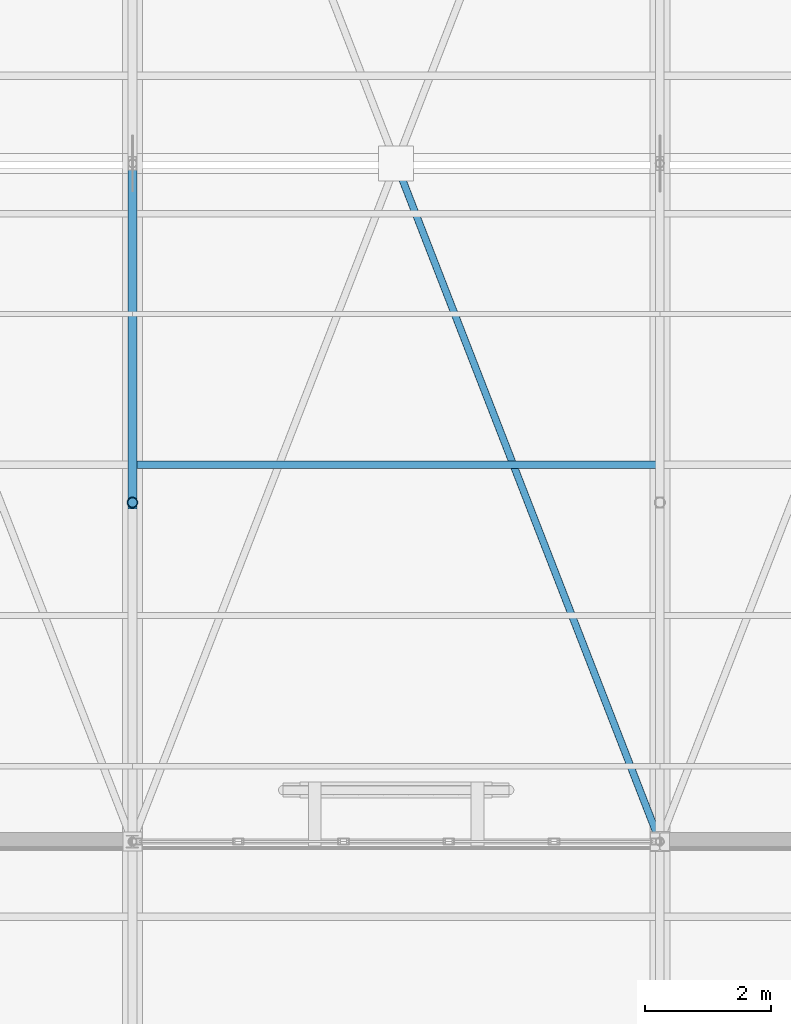
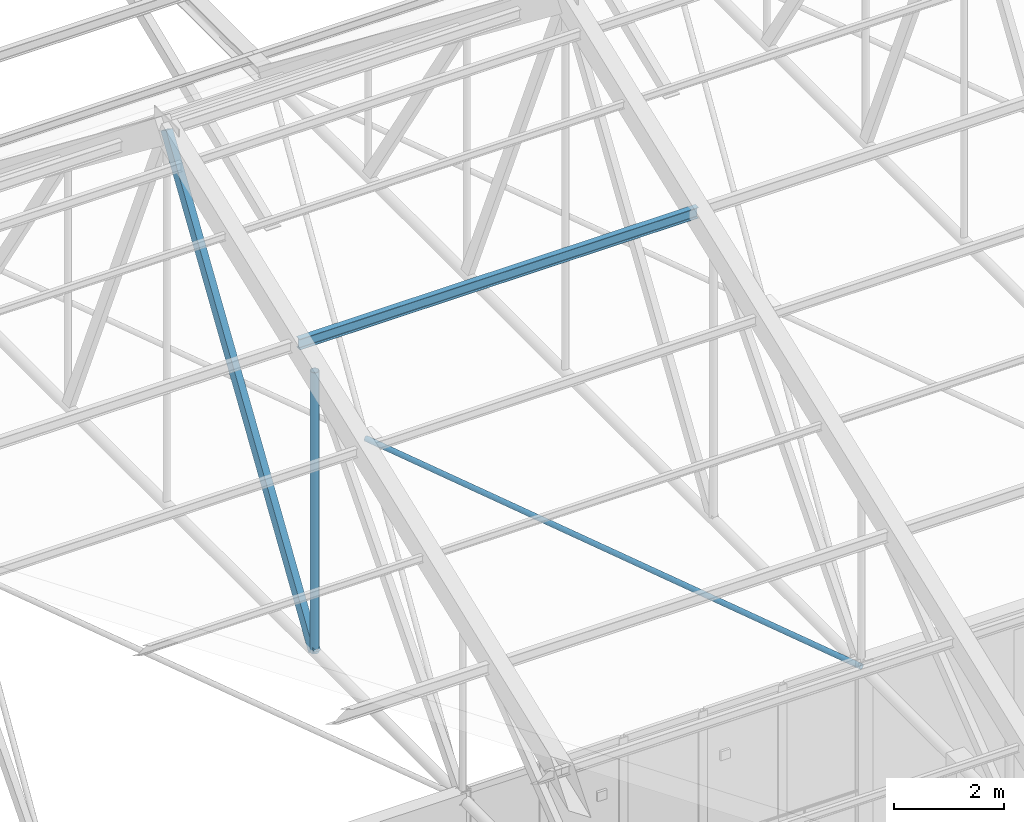
# One storey, part 94 of 217: 4 members.
"""IFC4 building model written with IfcOpenShell, lengths in metres."""

from ifc_helpers import new_model, si_unit, direction, frame, origin, origin_2d, place, context, subcontext, project, spatial, hollow_rectangle, hollow_circle, i_section, extrude, material, material_profile, profile_set, type_object, element, save


model = new_model("IFC4")

# Units and contexts
model_context = context("Model", 3, precision=1e-05, world=origin(), true_north=direction((0.0, 1.0)))
body_context = subcontext(model_context, "Body", "Model", "MODEL_VIEW")
ifc_project = project(units=[si_unit("LENGTHUNIT", "METRE"), si_unit("AREAUNIT", "SQUARE_METRE"), si_unit("VOLUMEUNIT", "CUBIC_METRE"), si_unit("PLANEANGLEUNIT", "RADIAN"), si_unit("MASSUNIT", "GRAM", prefix="KILO")], contexts=[model_context])

# Site, building, storey
site_placement = place(None, origin())
site = spatial("IfcSite", under=ifc_project, at=site_placement, CompositionType="ELEMENT")
building_placement = place(site_placement, origin())
building = spatial("IfcBuilding", under=site, at=building_placement, Name="Mazaris Harbour Polytechnic", CompositionType="ELEMENT")
storey_placement = place(building_placement, frame((0.0, 0.0, 9.60009765625)))
storey = spatial("IfcBuildingStorey", under=building, at=storey_placement, Name="L02", CompositionType="ELEMENT", Elevation=9.60009765625)

# Members
ifc_material_1 = material(Name="Steel S355", Category="steel")
ifc_material_profile_1 = material_profile(ifc_material_1, i_section(OverallWidth=0.1201171875, OverallDepth=0.239990234375, WebThickness=0.006103515625, FlangeThickness=0.009765625, FilletRadius=0.014892578125, at=origin_2d()), Name="IPE 240")
ifc_profile_set_1 = profile_set([ifc_material_profile_1], Name="Steel S355")
member_type_1 = type_object("IfcMemberType", Name="Steel Purlin IPE240", PredefinedType="PURLIN", material=ifc_profile_set_1)
member_1_placement = place(storey_placement, frame((87.60009765625, 92.39990234375, 10.251220703125), z_axis=(1.0, 0.0, 0.0), x_axis=(0.0, 1.0, 0.0)))
element("IfcMember", 1, at=member_1_placement, inside=storey, type_object=member_type_1, Name="V1 Roof Purlin S-95", PredefinedType="PURLIN", context=body_context, shape_type="SweptSolid", body=[
    extrude(i_section(OverallWidth=0.1201171875, OverallDepth=0.239990234375, WebThickness=0.006103515625, FlangeThickness=0.009765625, FilletRadius=0.014892578125, at=origin_2d()), origin(), (0.0, 0.0, 1.0), 8.39990234375),
])
ifc_material_2 = material(Name="Steel S355", Category="steel")
ifc_material_profile_2 = material_profile(ifc_material_2, hollow_rectangle(XDim=0.139892578125, YDim=0.239990234375, WallThickness=0.010009765625, at=origin_2d()), Name="RHS 140x240x10.0")
ifc_profile_set_2 = profile_set([ifc_material_profile_2], Name="Steel S355")
member_type_2 = type_object("IfcMemberType", Name="Steel Truss Diagonal RHS140x240", PredefinedType="BRACE", material=ifc_profile_set_2)
member_2_placement = place(storey_placement, frame((87.60009765625, 91.800048828125, 3.75), z_axis=(0.0, 0.543042568824, 0.839705167571), x_axis=(-1.0, 0.0, 0.0)))
element("IfcMember", 2, at=member_2_placement, inside=storey, type_object=member_type_2, Name="Truss 5 Web Diagonal S4", PredefinedType="BRACE", context=body_context, shape_type="SweptSolid", body=[
    extrude(hollow_rectangle(XDim=0.139892578125, YDim=0.239990234375, WallThickness=0.010009765625, at=origin_2d()), origin(), (0.0, 0.0, 1.0), 9.94384765625),
])
ifc_material_3 = material(Name="Steel S355", Category="steel")
ifc_material_profile_3 = material_profile(ifc_material_3, hollow_circle(Radius=0.084228515625, WallThickness=0.008056640625, at=origin_2d()), Name="CHS 168.3x8.0")
ifc_profile_set_3 = profile_set([ifc_material_profile_3], Name="Steel S355")
member_type_3 = type_object("IfcMemberType", Name="Steel Truss Strut CHS168", PredefinedType="STRUT", material=ifc_profile_set_3)
member_3_placement = place(storey_placement, frame((87.60009765625, 91.800048828125, 3.75), z_axis=(0.0, 0.0, 1.0), x_axis=(1.0, 0.0, 0.0)))
element("IfcMember", 3, at=member_3_placement, inside=storey, type_object=member_type_3, Name="Truss 5 Web Post S3", PredefinedType="STRUT", context=body_context, shape_type="SweptSolid", body=[
    extrude(hollow_circle(Radius=0.084228515625, WallThickness=0.008056640625, at=origin_2d()), origin(), (0.0, 0.0, 1.0), 6.262451171875),
])
ifc_material_4 = material(Name="Steel S355", Category="steel")
ifc_material_profile_4 = material_profile(ifc_material_4, hollow_circle(Radius=0.05712890625, WallThickness=0.00634765625, at=origin_2d()), Name="CHS 114.3x6.3")
ifc_profile_set_4 = profile_set([ifc_material_profile_4], Name="Steel S355")
member_type_4 = type_object("IfcMemberType", Name="Steel Wind Brace CHS114", PredefinedType="BRACE", material=ifc_profile_set_4)
member_4_placement = place(storey_placement, frame((91.800048828125, 97.199951171875, 3.75), z_axis=(0.3624411776, -0.932006648463, 0.0), x_axis=(0.932006648463, 0.3624411776, 0.0)))
element("IfcMember", 4, at=member_4_placement, inside=storey, type_object=member_type_4, Name="V1 Split Roof Wind Brace 5B2", PredefinedType="BRACE", context=body_context, shape_type="SweptSolid", body=[
    extrude(hollow_circle(Radius=0.05712890625, WallThickness=0.00634765625, at=origin_2d()), origin(), (0.0, 0.0, 1.0), 11.587890625),
])

save(model, "model.ifc")
